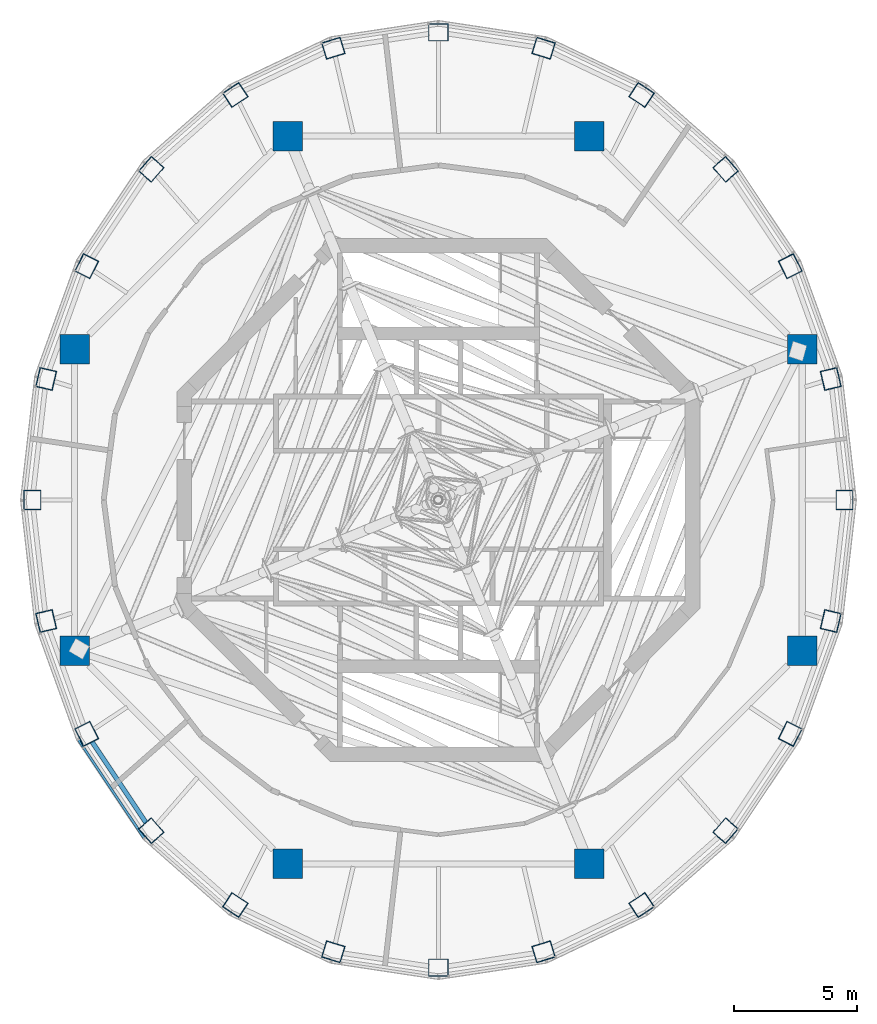
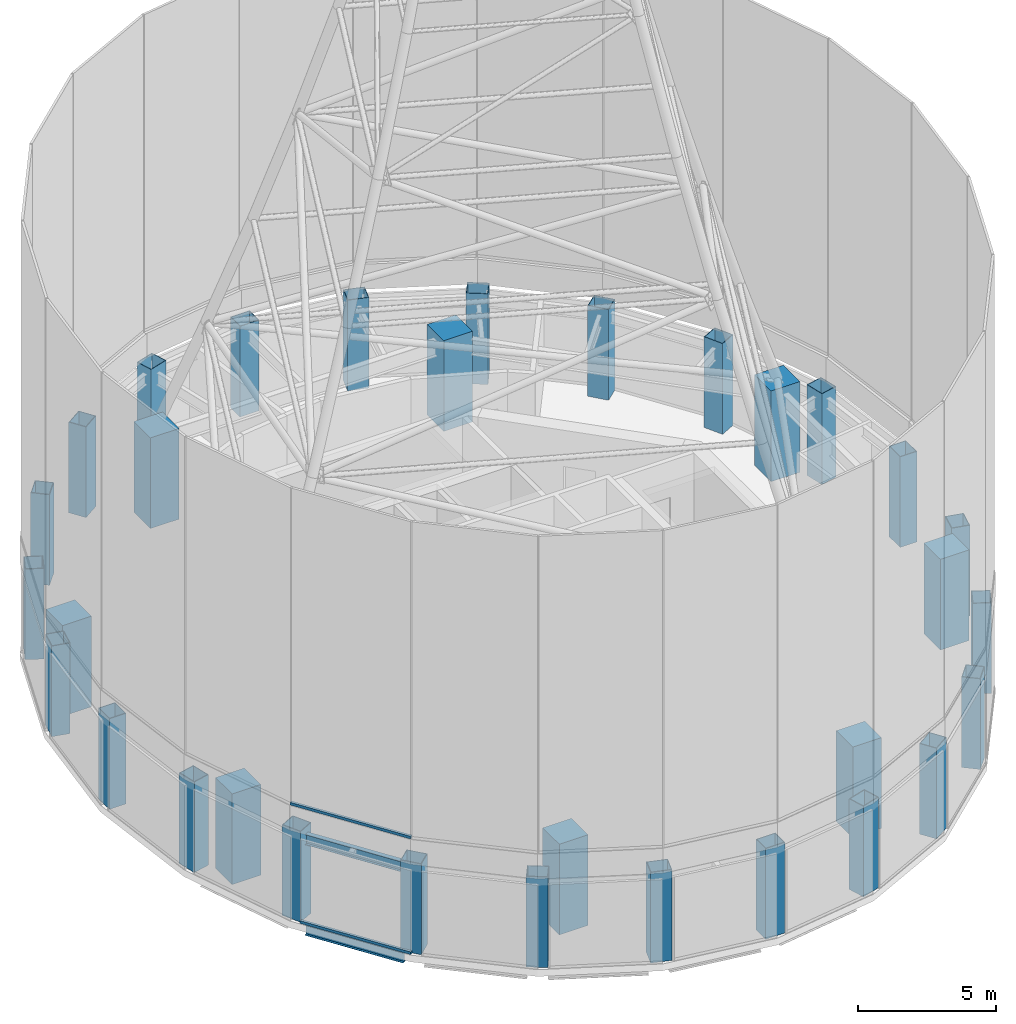
# One storey, part 1 of 25: 32 columns, 2 beams, 2 members, 2 elements without a shape of their own.
"""IFC4 building model written with IfcOpenShell, lengths in metres."""

import ifcopenshell
import ifcopenshell.guid

model = None  # the IFC model being written
_history = None  # IfcOwnerHistory: only IFC2X3 demands one
_inside = {}  # id of a spatial element -> (the spatial element, [elements in it])
_under = {}  # id of a project, library or spatial element -> (it, [spatial elements below it])
_declared = {}  # id of a project -> (the project, [libraries it declares])
_typed = {}  # id of a type object -> (the type object, [elements of that type])
_made_of = {}  # id of a material, layer set ... -> (it, [elements and type objects made of it])


def new_model(schema):
    """Start an empty IFC model of exactly this schema.

    Asked for "IFC4X3", IfcOpenShell would pick the latest addendum, in which some entities
    have other attributes; the version numbers below select the first issue.
    IFC2X3 requires an IfcOwnerHistory on every rooted entity: one is made here for all.
    """
    global model, _history
    if schema == "IFC4X3":
        model = ifcopenshell.file(schema_version=(4, 3, 0, 0))
    else:
        model = ifcopenshell.file(schema=schema)
    _inside.clear()
    _under.clear()
    _declared.clear()
    _typed.clear()
    _made_of.clear()
    _history = None
    if model.schema == "IFC2X3":
        org = make("IfcOrganization", Name="unknown")
        user = make(
            "IfcPersonAndOrganization",
            ThePerson=make("IfcPerson", FamilyName="unknown"),
            TheOrganization=org,
        )
        app = make(
            "IfcApplication",
            ApplicationDeveloper=org,
            Version="unknown",
            ApplicationFullName="unknown",
            ApplicationIdentifier="unknown",
        )
        _history = make(
            "IfcOwnerHistory",
            OwningUser=user,
            OwningApplication=app,
            ChangeAction="ADDED",
            CreationDate=0,
        )
    return model


def make(cls, **values):
    """One entity of the class cls with the attributes given. An attribute that is None is left unset."""
    return model.create_entity(
        cls, **{name: value for name, value in values.items() if value is not None}
    )


def rooted(cls, **values):
    """An entity with a GlobalId (a new one), such as an element, a storey or a relation."""
    return make(cls, GlobalId=ifcopenshell.guid.new(), OwnerHistory=_history, **values)


def si_unit(unit_type, name, prefix=None):
    """IfcSIUnit, for example si_unit("LENGTHUNIT", "METRE", prefix="MILLI")."""
    return make("IfcSIUnit", UnitType=unit_type, Prefix=prefix, Name=name)


def assignment(units):
    """IfcUnitAssignment: the units of a project."""
    return None if units is None else make("IfcUnitAssignment", Units=units)


def point(xyz):
    """IfcCartesianPoint."""
    return None if xyz is None else make("IfcCartesianPoint", Coordinates=xyz)


def direction(xyz):
    """IfcDirection."""
    return None if xyz is None else make("IfcDirection", DirectionRatios=xyz)


def frame(location, z_axis=None, x_axis=None):
    """IfcAxis2Placement3D, a coordinate frame: its origin and axes. An axis left out is left unset."""
    return make(
        "IfcAxis2Placement3D",
        Location=point(location),
        Axis=direction(z_axis),
        RefDirection=direction(x_axis),
    )


def frame_2d(location, x_axis=None):
    """IfcAxis2Placement2D, a coordinate frame in the plane: its origin and x axis."""
    return make(
        "IfcAxis2Placement2D", Location=point(location), RefDirection=direction(x_axis)
    )


def origin():
    """The frame at (0, 0, 0) with its axes left unset."""
    return frame((0.0, 0.0, 0.0))


def origin_2d():
    """The frame at (0, 0) in the plane with its x axis left unset."""
    return frame_2d((0.0, 0.0))


def place(relative_to, where):
    """IfcLocalPlacement: puts the frame where relative to a parent placement (None: the world)."""
    return make(
        "IfcLocalPlacement", PlacementRelTo=relative_to, RelativePlacement=where
    )


def context(
    kind, dimensions, precision=None, world=None, true_north=None, identifier=None
):
    """IfcGeometricRepresentationContext, for example the 3D "Model" context."""
    return make(
        "IfcGeometricRepresentationContext",
        ContextIdentifier=identifier,
        ContextType=kind,
        CoordinateSpaceDimension=dimensions,
        Precision=precision,
        WorldCoordinateSystem=world,
        TrueNorth=true_north,
    )


def subcontext(parent, identifier, kind, view, scale=None):
    """IfcGeometricRepresentationSubContext, for example "Body" below "Model"."""
    return make(
        "IfcGeometricRepresentationSubContext",
        ContextIdentifier=identifier,
        ContextType=kind,
        ParentContext=parent,
        TargetScale=scale,
        TargetView=view,
    )


def project(units=None, contexts=None):
    """IfcProject with its units and contexts."""
    return rooted(
        "IfcProject",
        Name="project",
        RepresentationContexts=contexts,
        UnitsInContext=assignment(units),
    )


def spatial(cls, under=None, at=None, **own):
    """A site, building, storey or space (cls), placed at a placement, below another one or the project."""
    s = rooted(cls, ObjectPlacement=at, **own)
    if under is not None:
        _under.setdefault(under.id(), (under, []))[1].append(s)
    return s


def profile(cls, at=None, kind="AREA", **sizes):
    """A parametric profile (cls). Its sizes go by their IFC names, for example OverallWidth=200.0."""
    return make(cls, ProfileType=kind, Position=at, **sizes)


def rectangle(**sizes):
    """IfcRectangleProfileDef."""
    return profile("IfcRectangleProfileDef", **sizes)


def hollow_rectangle(**sizes):
    """IfcRectangleHollowProfileDef."""
    return profile("IfcRectangleHollowProfileDef", **sizes)


def i_section(**sizes):
    """IfcIShapeProfileDef."""
    return profile("IfcIShapeProfileDef", **sizes)


def extrude(swept, where, along, depth):
    """IfcExtrudedAreaSolid: the profile swept, set in the frame where, extruded along a direction by depth."""
    return make(
        "IfcExtrudedAreaSolid",
        SweptArea=swept,
        Position=where,
        ExtrudedDirection=direction(along),
        Depth=depth,
    )


def shape(context_of_items, identifier, shape_type, items):
    """IfcShapeRepresentation: the items that make up one representation, for example the "Body"."""
    return make(
        "IfcShapeRepresentation",
        ContextOfItems=context_of_items,
        RepresentationIdentifier=identifier,
        RepresentationType=shape_type,
        Items=items,
    )


def material(Name=None, Category=None):
    """IfcMaterial."""
    return make("IfcMaterial", Name=Name, Category=Category)


def layer(
    of_material, thickness, ventilated=None, Name=None, Category=None, Priority=None
):
    """IfcMaterialLayer: one layer of a wall or slab, of a material (None: an air gap)."""
    return make(
        "IfcMaterialLayer",
        Material=of_material,
        LayerThickness=thickness,
        IsVentilated=ventilated,
        Name=Name,
        Category=Category,
        Priority=Priority,
    )


def layer_set(layers, Name=None):
    """IfcMaterialLayerSet."""
    return make("IfcMaterialLayerSet", MaterialLayers=layers, LayerSetName=Name)


def material_profile(
    of_material, cross_section, Name=None, Category=None, Priority=None
):
    """IfcMaterialProfile: a cross section and its material."""
    return make(
        "IfcMaterialProfile",
        Name=Name,
        Material=of_material,
        Profile=cross_section,
        Priority=Priority,
        Category=Category,
    )


def profile_set(profiles, Name=None, composite=None):
    """IfcMaterialProfileSet."""
    return make(
        "IfcMaterialProfileSet",
        Name=Name,
        MaterialProfiles=profiles,
        CompositeProfile=composite,
    )


def made_of(thing, what):
    """Note that an element or type object is made of a material, layer set ...; save() writes the relation."""
    if what is not None:
        _made_of.setdefault(what.id(), (what, []))[1].append(thing)
    return thing


def type_object(cls, material=None, **own):
    """A type object (cls), such as IfcWallType, which elements share."""
    return made_of(rooted(cls, **own), material)


def element(
    cls,
    number,
    at=None,
    inside=None,
    cuts=None,
    type_object=None,
    material=None,
    context=None,
    identifier="Body",
    shape_type=None,
    held_by="IfcProductDefinitionShape",
    body=None,
    shapes=None,
    **own,
):
    """One element of the class cls, such as IfcWall. Its Tag is "e" and its number.

    at: its placement. inside: the storey or other place that contains it. cuts: it is an
    opening in that element (IfcRelVoidsElement). A single representation is given by context,
    identifier, shape_type and body (its items); several are given by shapes. held_by: the class
    of the entity that holds the representations. save() writes the other relations.
    """
    e = rooted(cls, Tag="e%d" % number, ObjectPlacement=at, **own)
    if body is not None:
        shapes = [shape(context, identifier, shape_type, body)]
    if shapes is not None:
        e.Representation = make(held_by, Representations=shapes)
    if inside is not None:
        _inside.setdefault(inside.id(), (inside, []))[1].append(e)
    if cuts is not None:
        rooted(
            "IfcRelVoidsElement", RelatingBuildingElement=cuts, RelatedOpeningElement=e
        )
    if type_object is not None:
        _typed.setdefault(type_object.id(), (type_object, []))[1].append(e)
    return made_of(e, material)


def aggregate(whole, parts):
    """IfcRelAggregates: a whole, such as a stair, and the parts it consists of."""
    return rooted("IfcRelAggregates", RelatingObject=whole, RelatedObjects=parts)


def save(model, path):
    """Write the relations noted so far, then the file.

    IfcRelAggregates (storeys below a building ...), IfcRelContainedInSpatialStructure (elements
    in a storey), IfcRelDefinesByType, IfcRelAssociatesMaterial and IfcRelDeclares: one each for
    every whole, place, type object, material and project.
    """
    for whole, parts in _under.values():
        aggregate(whole, parts)
    for where, things in _inside.values():
        rooted(
            "IfcRelContainedInSpatialStructure",
            RelatedElements=things,
            RelatingStructure=where,
        )
    for kind, things in _typed.values():
        rooted("IfcRelDefinesByType", RelatedObjects=things, RelatingType=kind)
    for what, things in _made_of.values():
        rooted("IfcRelAssociatesMaterial", RelatedObjects=things, RelatingMaterial=what)
    for by, libraries in _declared.values():
        rooted("IfcRelDeclares", RelatingContext=by, RelatedDefinitions=libraries)
    model.write(path)


model = new_model("IFC4")

# Units and contexts
model_context = context("Model", 3, precision=1e-05, world=origin(), true_north=direction((0.0, 1.0)))
body_context = subcontext(model_context, "Body", "Model", "MODEL_VIEW")
ifc_project = project(units=[si_unit("LENGTHUNIT", "METRE"), si_unit("AREAUNIT", "SQUARE_METRE"), si_unit("VOLUMEUNIT", "CUBIC_METRE"), si_unit("PLANEANGLEUNIT", "RADIAN"), si_unit("MASSUNIT", "GRAM", prefix="KILO")], contexts=[model_context])

# Site, building, storey
site_placement = place(None, origin())
site = spatial("IfcSite", under=ifc_project, at=site_placement, CompositionType="ELEMENT")
building_placement = place(site_placement, origin())
building = spatial("IfcBuilding", under=site, at=building_placement, Name="Nagisa Residences", CompositionType="ELEMENT")
storey_placement = place(building_placement, frame((0.0, 0.0, 340.89990234375)))
storey = spatial("IfcBuildingStorey", under=building, at=storey_placement, Name="L84", CompositionType="ELEMENT", Elevation=340.89990234375)

# Columns
ifc_material_1 = material(Name="Concrete C80", Category="concrete")
ifc_material_profile_1 = material_profile(ifc_material_1, rectangle(XDim=1.199951171875, YDim=1.199951171875, at=origin_2d()), Name="C80 1200x1200")
ifc_profile_set_1 = profile_set([ifc_material_profile_1], Name="Concrete C80")
column_type_1 = type_object("IfcColumnType", Name="Inner megacolumn C80 1200x1200", PredefinedType="COLUMN", material=ifc_profile_set_1)
for number, where, z_axis, x_axis, name in (
    (1, (14.781982421875, 6.123046875, 0.0), (0.0, 0.0, 1.0), (1.0, 0.0, 0.0), "col:L84:i1"),
    (2, (6.123046875, 14.781982421875, 0.0), (0.0, 0.0, 1.0), (1.0, 0.0, 0.0), "col:L84:i2"),
    (3, (-6.123046875, 14.781982421875, 0.0), (0.0, 0.0, 1.0), (1.0, 0.0, 0.0), "col:L84:i3"),
    (4, (-14.781982421875, 6.123046875, 0.0), (0.0, 0.0, 1.0), (1.0, 0.0, 0.0), "col:L84:i4"),
    (5, (-14.781982421875, -6.123046875, 0.0), (0.0, 0.0, 1.0), (1.0, 0.0, 0.0), "col:L84:i5"),
    (6, (-6.123046875, -14.781982421875, 0.0), (0.0, 0.0, 1.0), (1.0, 0.0, 0.0), "col:L84:i6"),
    (7, (6.123046875, -14.781982421875, 0.0), (0.0, 0.0, 1.0), (1.0, 0.0, 0.0), "col:L84:i7"),
    (8, (14.781982421875, -6.123046875, 0.0), (0.0, 0.0, 1.0), (1.0, 0.0, 0.0), "col:L84:i8"),
):
    element("IfcColumn", number, at=place(storey_placement, frame(where, z_axis=z_axis, x_axis=x_axis)), inside=storey, type_object=column_type_1, Name=name, PredefinedType="COLUMN", context=body_context, shape_type="SweptSolid", body=[
        extrude(rectangle(XDim=1.199951171875, YDim=1.199951171875, at=origin_2d()), origin(), (0.0, 0.0, 1.0), 4.0),
    ])
ifc_material_2 = material(Name="Steel ASTM A572 Gr 50", Category="steel")
ifc_material_profile_2 = material_profile(ifc_material_2, hollow_rectangle(XDim=0.800048828125, YDim=0.699951171875, WallThickness=0.02490234375, at=origin_2d()), Name="BX 800x700x25")
ifc_profile_set_2 = profile_set([ifc_material_profile_2], Name="Steel ASTM A572 Gr 50")
column_type_2 = type_object("IfcColumnType", Name="Perimeter column BX 800x700x25", PredefinedType="COLUMN", material=ifc_profile_set_2)
for number, where, z_axis, x_axis, name in (
    (9, (16.5, 0.0, 0.0), (0.0, 0.0, 1.0), (0.0, 1.0, 0.0), "col:L84:p00"),
    (10, (15.937744140625, 4.91748046875, 0.0), (0.0, 0.0, 1.0), (-0.227472858308, 0.973784421077, 0.0), "col:L84:p01"),
    (11, (14.289306640625, 9.5, 0.0), (0.0, 0.0, 1.0), (-0.449592304298, 0.893233877502, 0.0), "col:L84:p02"),
    (12, (11.667236328125, 13.43505859375, 0.0), (0.0, 0.0, 1.0), (-0.657135200433, 0.753772729907, 0.0), "col:L84:p03"),
    (13, (8.25, 16.45458984375, 0.0), (0.0, 0.0, 1.0), (-0.833744136063, 0.552150989839, 0.0), "col:L84:p04"),
    (14, (4.2705078125, 18.3525390625, 0.0), (0.0, 0.0, 1.0), (-0.955869996667, 0.293789975104, 0.0), "col:L84:p05"),
    (15, (0.0, 19.0, 0.0), (0.0, 0.0, 1.0), (-1.0, 0.0, 0.0), "col:L84:p06"),
    (16, (-4.2705078125, 18.3525390625, 0.0), (0.0, 0.0, 1.0), (-0.955869996667, -0.293789975104, 0.0), "col:L84:p07"),
    (17, (-8.25, 16.45458984375, 0.0), (0.0, 0.0, 1.0), (-0.833744136063, -0.552150989839, 0.0), "col:L84:p08"),
    (18, (-11.667236328125, 13.43505859375, 0.0), (0.0, 0.0, 1.0), (-0.657135200433, -0.753772729907, 0.0), "col:L84:p09"),
    (19, (-14.289306640625, 9.5, 0.0), (0.0, 0.0, 1.0), (-0.449592304298, -0.893233877502, 0.0), "col:L84:p10"),
    (20, (-15.937744140625, 4.91748046875, 0.0), (0.0, 0.0, 1.0), (-0.227472858308, -0.973784421077, 0.0), "col:L84:p11"),
    (21, (-16.5, 0.0, 0.0), (0.0, 0.0, 1.0), (0.0, -1.0, 0.0), "col:L84:p12"),
    (22, (-15.937744140625, -4.91748046875, 0.0), (0.0, 0.0, 1.0), (0.227472858308, -0.973784421077, 0.0), "col:L84:p13"),
    (23, (-14.289306640625, -9.5, 0.0), (0.0, 0.0, 1.0), (0.449592304298, -0.893233877502, 0.0), "col:L84:p14"),
    (24, (-11.667236328125, -13.43505859375, 0.0), (0.0, 0.0, 1.0), (0.657135200433, -0.753772729907, 0.0), "col:L84:p15"),
    (25, (-8.25, -16.45458984375, 0.0), (0.0, 0.0, 1.0), (0.833744136063, -0.552150989839, 0.0), "col:L84:p16"),
    (26, (-4.2705078125, -18.3525390625, 0.0), (0.0, 0.0, 1.0), (0.955869996667, -0.293789975104, 0.0), "col:L84:p17"),
    (27, (0.0, -19.0, 0.0), (0.0, 0.0, 1.0), (1.0, 0.0, 0.0), "col:L84:p18"),
    (28, (4.2705078125, -18.3525390625, 0.0), (0.0, 0.0, 1.0), (0.955869996667, 0.293789975104, 0.0), "col:L84:p19"),
    (29, (8.25, -16.45458984375, 0.0), (0.0, 0.0, 1.0), (0.833744136063, 0.552150989839, 0.0), "col:L84:p20"),
    (30, (11.667236328125, -13.43505859375, 0.0), (0.0, 0.0, 1.0), (0.657135200433, 0.753772729907, 0.0), "col:L84:p21"),
    (31, (14.289306640625, -9.5, 0.0), (0.0, 0.0, 1.0), (0.449592304298, 0.893233877502, 0.0), "col:L84:p22"),
    (32, (15.937744140625, -4.91748046875, 0.0), (0.0, 0.0, 1.0), (0.227472858308, 0.973784421077, 0.0), "col:L84:p23"),
):
    element("IfcColumn", number, at=place(storey_placement, frame(where, z_axis=z_axis, x_axis=x_axis)), inside=storey, type_object=column_type_2, Name=name, PredefinedType="COLUMN", context=body_context, shape_type="SweptSolid", body=[
        extrude(hollow_rectangle(XDim=0.800048828125, YDim=0.699951171875, WallThickness=0.02490234375, at=origin_2d()), origin(), (0.0, 0.0, 1.0), 4.0),
    ])

# Curtain wall, member
ifc_material_3 = material(Name="Aluminium curtain wall system", Category="aluminium")
ifc_layer = layer(ifc_material_3, 0.159912109375)
ifc_layer_set = layer_set([ifc_layer], Name="CW5 CURTAIN WALL")
curtain_wall_type = type_object("IfcCurtainWallType", Name="CW5 CURTAIN WALL", PredefinedType="NOTDEFINED", material=ifc_layer_set)
curtain_wall_1_placement = place(storey_placement, origin())
curtain_wall_1 = element("IfcCurtainWall", 33, at=curtain_wall_1_placement, inside=storey, type_object=curtain_wall_type, Name="cw:CW5:L84:14", PredefinedType="NOTDEFINED")
ifc_material_4 = material(Name="Aluminium", Category="aluminium")
ifc_material_profile_3 = material_profile(ifc_material_4, rectangle(XDim=0.10009765625, YDim=0.1201171875, at=origin_2d()), Name="CW5 TRANSOM 100x120")
ifc_profile_set_3 = profile_set([ifc_material_profile_3], Name="Aluminium")
member_type = type_object("IfcMemberType", Name="CW5 TRANSOM 100x120", PredefinedType="USERDEFINED", material=ifc_profile_set_3)
member_1_placement = place(storey_placement, frame((-14.43359375, -10.0380859375, 0.06005859375), z_axis=(0.556026221044, -0.831164749921, 0.0), x_axis=(0.831164749921, 0.556026221044, 0.0)))
member_1 = element("IfcMember", 34, at=member_1_placement, type_object=member_type, Name="CW5 transom", ObjectType="TRANSOM", PredefinedType="USERDEFINED", context=body_context, shape_type="SweptSolid", body=[
    extrude(rectangle(XDim=0.10009765625, YDim=0.1201171875, at=origin_2d()), origin(), (0.0, 0.0, 1.0), 4.458984375),
])
aggregate(curtain_wall_1, [member_1])

curtain_wall_2_placement = place(storey_placement, origin())
curtain_wall_2 = element("IfcCurtainWall", 35, at=curtain_wall_2_placement, inside=storey, type_object=curtain_wall_type, Name="cw:CW5:L84:top0:14", PredefinedType="NOTDEFINED")
member_2_placement = place(storey_placement, frame((-14.656005859375, -9.70556640625, 5.16015625), z_axis=(0.55602135043, -0.831168008207, 0.0), x_axis=(0.831168008207, 0.55602135043, 0.0)))
member_2 = element("IfcMember", 36, at=member_2_placement, type_object=member_type, Name="CW5 transom", ObjectType="TRANSOM", PredefinedType="USERDEFINED", context=body_context, shape_type="SweptSolid", body=[
    extrude(rectangle(XDim=0.10009765625, YDim=0.1201171875, at=origin_2d()), origin(), (0.0, 0.0, 1.0), 4.85888671875),
])
aggregate(curtain_wall_2, [member_2])

# Beams
ifc_material_5 = material(Name="Steel ASTM A572 Gr 50", Category="steel")
ifc_material_profile_4 = material_profile(ifc_material_5, i_section(OverallWidth=0.18994140625, OverallDepth=0.45703125, WebThickness=0.009033203125, FlangeThickness=0.014404296875, at=origin_2d()), Name="W460x74")
ifc_profile_set_4 = profile_set([ifc_material_profile_4], Name="Steel ASTM A572 Gr 50")
beam_type = type_object("IfcBeamType", Name="Perimeter ring beam W460x74", PredefinedType="BEAM", material=ifc_profile_set_4)
for number, where, z_axis, x_axis, name in (
    (37, (-14.0771484375, -9.818603515625, -0.5283203125), (0.554529560082, -0.832164026497, 0.0), (0.832164026497, 0.554529560082, 0.0), "beam:L84:pb15"),
    (38, (-14.0771484375, -9.818603515625, 3.4716796875), (0.554529560082, -0.832164026497, 0.0), (0.832164026497, 0.554529560082, 0.0), "beam:L84:rpb15"),
):
    element("IfcBeam", number, at=place(storey_placement, frame(where, z_axis=z_axis, x_axis=x_axis)), inside=storey, type_object=beam_type, Name=name, PredefinedType="BEAM", context=body_context, shape_type="SweptSolid", body=[
        extrude(i_section(OverallWidth=0.18994140625, OverallDepth=0.45703125, WebThickness=0.009033203125, FlangeThickness=0.014404296875, at=origin_2d()), origin(), (0.0, 0.0, 1.0), 3.96240234375),
    ])

save(model, "model.ifc")
